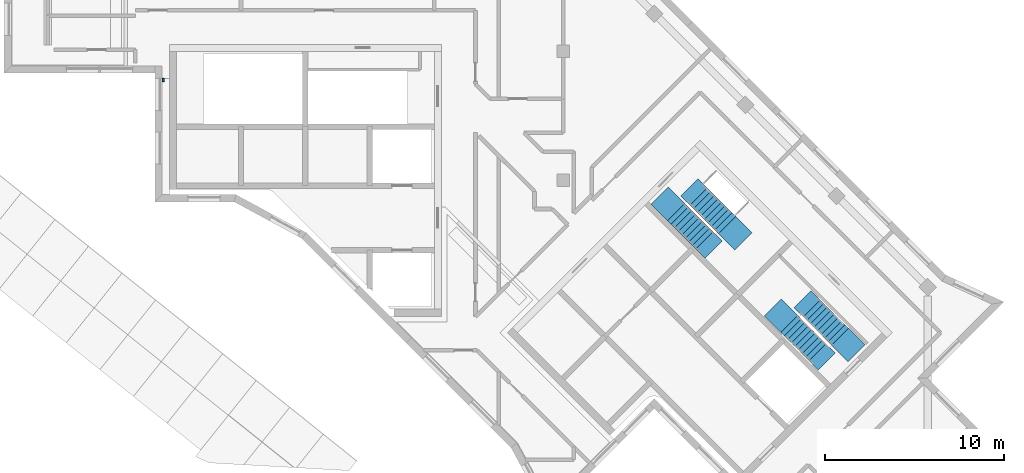
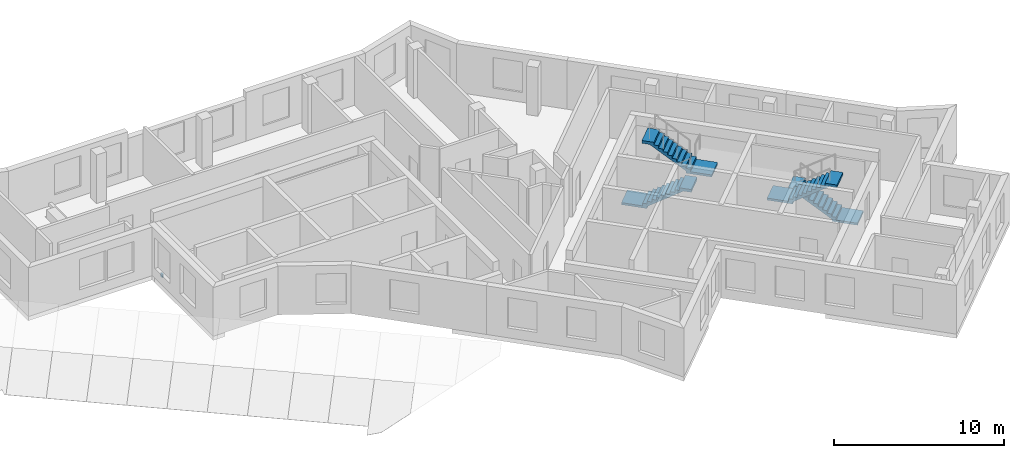
# One storey, part 6 of 8: 4 stair flights, 1 wall, 2 elements without a shape of their own.
"""IFC4 building model written with IfcOpenShell, lengths in metres."""

from ifc_helpers import new_model, si_unit, direction, frame, origin, place, context, subcontext, project, spatial, polyline, outline, extrude, material, layer, layer_set, type_object, element, aggregate, save


model = new_model("IFC4")

# Units and contexts
model_context = context("Model", 3, precision=1e-05, world=origin(), true_north=direction((0.0, 1.0)))
body_context = subcontext(model_context, "Body", "Model", "MODEL_VIEW")
ifc_project = project(units=[si_unit("LENGTHUNIT", "METRE"), si_unit("AREAUNIT", "SQUARE_METRE"), si_unit("VOLUMEUNIT", "CUBIC_METRE"), si_unit("PLANEANGLEUNIT", "RADIAN"), si_unit("MASSUNIT", "GRAM", prefix="KILO")], contexts=[model_context])

# Site, building, storey
site_placement = place(None, origin())
site = spatial("IfcSite", under=ifc_project, at=site_placement, CompositionType="ELEMENT")
building_placement = place(site_placement, origin())
building = spatial("IfcBuilding", under=site, at=building_placement, Name="Windrow Commons", CompositionType="ELEMENT")
storey_placement = place(building_placement, frame((0.0, 0.0, 298.2)))
storey = spatial("IfcBuildingStorey", under=building, at=storey_placement, Name="L81", CompositionType="ELEMENT", Elevation=298.2)

# Wall
ifc_material_1 = material(Name="Brick masonry, red clay brick", Category="masonry")
ifc_layer = layer(ifc_material_1, 0.2)
ifc_layer_set = layer_set([ifc_layer], Name="Terrace edge parapet 200")
wall_type = type_object("IfcWallType", Name="Terrace edge parapet 200", PredefinedType="PARAPET", material=ifc_layer_set)
wall_placement = place(storey_placement, frame((56.9, 63.2, 0.0), z_axis=(0.0, 0.0, 1.0), x_axis=(-1.0, 0.0, 0.0)))
element("IfcWall", 1, at=wall_placement, inside=storey, type_object=wall_type, Name="Terrace parapet TR-L81-2.2.1", PredefinedType="PARAPET", context=body_context, shape_type="SweptSolid", body=[
    extrude(outline(polyline([(0.0, -0.1), (0.1, -0.1), (0.1, 0.1), (0.0, 0.1), (0.0, -0.1)])), origin(), (0.0, 0.0, 1.0), 0.25),
])

# Stair, stair flights
ifc_material_2 = material(Name="Concrete C40/50", Category="concrete")
stair_type = type_object("IfcStairType", Name="Core stair", PredefinedType="HALF_TURN_STAIR", material=ifc_material_2)
placement = place(storey_placement, origin())
stair_1 = element("IfcStair", 2, at=placement, inside=storey, type_object=stair_type, Name="L81 Exit stair B1 core B", PredefinedType="HALF_TURN_STAIR")
ifc_material_3 = material(Name="Concrete C40/50", Category="concrete")
stair_flight_type = type_object("IfcStairFlightType", Name="Core stair flight", PredefinedType="STRAIGHT", material=ifc_material_3)
stair_flight_1_placement = place(storey_placement, frame((85.5109, 55.8249, 0.0), z_axis=(0.0, 0.0, 1.0), x_axis=(0.7071067812, -0.7071067812, 0.0)))
stair_flight_1 = element("IfcStairFlight", 3, at=stair_flight_1_placement, type_object=stair_flight_type, Name="ST-B1 flight 1", NumberOfRisers=10, NumberOfTreads=9, PredefinedType="STRAIGHT", RiserHeight=0.19, TreadLength=0.28, context=body_context, shape_type="SweptSolid", body=[
    extrude(outline(polyline([(-1.3, -0.15), (-1.3, 0.0), (0.0, 0.0), (0.0, 0.19), (0.28, 0.19), (0.28, 0.38), (0.56, 0.38), (0.56, 0.57), (0.84, 0.57), (0.84, 0.76), (1.12, 0.76), (1.12, 0.95), (1.4, 0.95), (1.4, 1.14), (1.68, 1.14), (1.68, 1.33), (1.96, 1.33), (1.96, 1.52), (2.24, 1.52), (2.24, 1.71), (2.52, 1.71), (2.97, 1.71), (2.97, 1.51), (2.52, 1.51), (2.52, 1.5287), (0.2671, 0.0), (0.2671, -0.15), (-1.3, -0.15)])), frame((0.0, 0.675, 0.0), z_axis=(0.0, -1.0, 0.0), x_axis=(1.0, 0.0, 0.0)), (0.0, 0.0, 1.0), 1.35),
])
stair_flight_2_placement = place(storey_placement, frame((88.3535, 55.1037, 1.9), z_axis=(0.0, 0.0, 1.0), x_axis=(-0.7071067812, 0.7071067812, 0.0)))
stair_flight_2 = element("IfcStairFlight", 4, at=stair_flight_2_placement, type_object=stair_flight_type, Name="ST-B1 flight 2", NumberOfRisers=10, NumberOfTreads=9, PredefinedType="STRAIGHT", RiserHeight=0.19, TreadLength=0.28, context=body_context, shape_type="SweptSolid", body=[
    extrude(outline(polyline([(-1.3, -0.15), (-1.3, 0.0), (0.0, 0.0), (0.0, 0.19), (0.28, 0.19), (0.28, 0.38), (0.56, 0.38), (0.56, 0.57), (0.84, 0.57), (0.84, 0.76), (1.12, 0.76), (1.12, 0.95), (1.4, 0.95), (1.4, 1.14), (1.68, 1.14), (1.68, 1.33), (1.96, 1.33), (1.96, 1.52), (2.24, 1.52), (2.24, 1.71), (2.52, 1.71), (2.97, 1.71), (2.97, 1.51), (2.52, 1.51), (2.52, 1.5287), (0.2671, 0.0), (0.2671, -0.15), (-1.3, -0.15)])), frame((0.0, 0.675, 0.0), z_axis=(0.0, -1.0, 0.0), x_axis=(1.0, 0.0, 0.0)), (0.0, 0.0, 1.0), 1.35),
])
aggregate(stair_1, [stair_flight_1, stair_flight_2])

stair_2 = element("IfcStair", 5, at=placement, inside=storey, type_object=stair_type, Name="L81 Exit stair B2 core B", PredefinedType="HALF_TURN_STAIR")
stair_flight_3_placement = place(storey_placement, frame((94.6715, 48.8635, 0.0), z_axis=(0.0, 0.0, 1.0), x_axis=(-0.7071067812, 0.7071067812, 0.0)))
stair_flight_3 = element("IfcStairFlight", 6, at=stair_flight_3_placement, type_object=stair_flight_type, Name="ST-B2 flight 1", NumberOfRisers=10, NumberOfTreads=9, PredefinedType="STRAIGHT", RiserHeight=0.19, TreadLength=0.28, context=body_context, shape_type="SweptSolid", body=[
    extrude(outline(polyline([(-1.3, -0.15), (-1.3, 0.0), (0.0, 0.0), (0.0, 0.19), (0.28, 0.19), (0.28, 0.38), (0.56, 0.38), (0.56, 0.57), (0.84, 0.57), (0.84, 0.76), (1.12, 0.76), (1.12, 0.95), (1.4, 0.95), (1.4, 1.14), (1.68, 1.14), (1.68, 1.33), (1.96, 1.33), (1.96, 1.52), (2.24, 1.52), (2.24, 1.71), (2.52, 1.71), (2.97, 1.71), (2.97, 1.51), (2.52, 1.51), (2.52, 1.5287), (0.2671, 0.0), (0.2671, -0.15), (-1.3, -0.15)])), frame((0.0, 0.675, 0.0), z_axis=(0.0, -1.0, 0.0), x_axis=(1.0, 0.0, 0.0)), (0.0, 0.0, 1.0), 1.35),
])
stair_flight_4_placement = place(storey_placement, frame((91.8289, 49.5847, 1.9), z_axis=(0.0, 0.0, 1.0), x_axis=(0.7071067812, -0.7071067812, 0.0)))
stair_flight_4 = element("IfcStairFlight", 7, at=stair_flight_4_placement, type_object=stair_flight_type, Name="ST-B2 flight 2", NumberOfRisers=10, NumberOfTreads=9, PredefinedType="STRAIGHT", RiserHeight=0.19, TreadLength=0.28, context=body_context, shape_type="SweptSolid", body=[
    extrude(outline(polyline([(-1.3, -0.15), (-1.3, 0.0), (0.0, 0.0), (0.0, 0.19), (0.28, 0.19), (0.28, 0.38), (0.56, 0.38), (0.56, 0.57), (0.84, 0.57), (0.84, 0.76), (1.12, 0.76), (1.12, 0.95), (1.4, 0.95), (1.4, 1.14), (1.68, 1.14), (1.68, 1.33), (1.96, 1.33), (1.96, 1.52), (2.24, 1.52), (2.24, 1.71), (2.52, 1.71), (2.97, 1.71), (2.97, 1.51), (2.52, 1.51), (2.52, 1.5287), (0.2671, 0.0), (0.2671, -0.15), (-1.3, -0.15)])), frame((0.0, 0.675, 0.0), z_axis=(0.0, -1.0, 0.0), x_axis=(1.0, 0.0, 0.0)), (0.0, 0.0, 1.0), 1.35),
])
aggregate(stair_2, [stair_flight_3, stair_flight_4])

save(model, "model.ifc")
